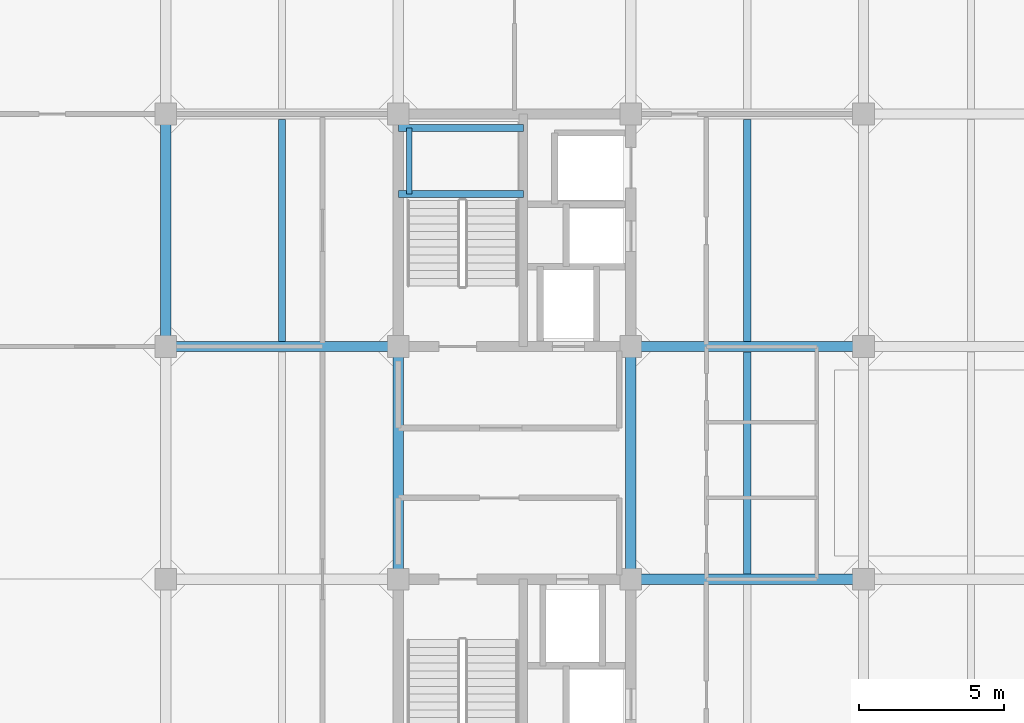
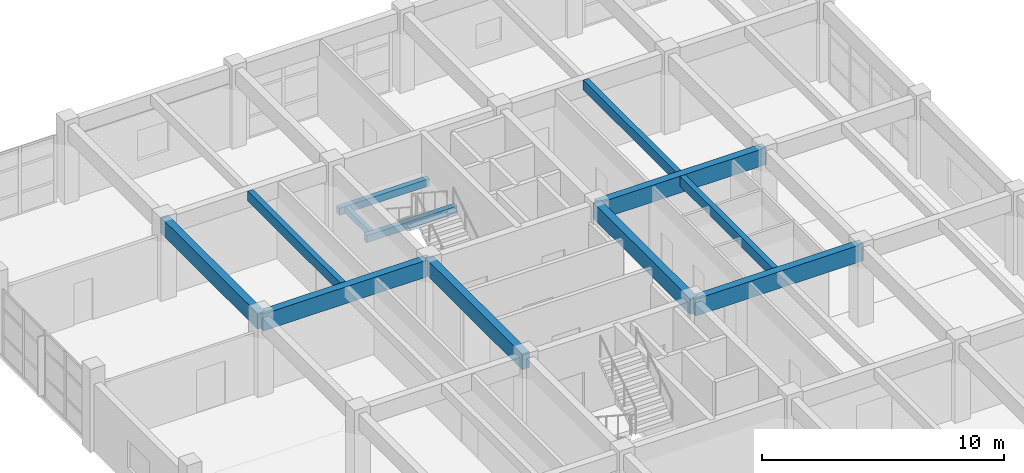
# One storey, part 9 of 27: 12 beams.
"""IFC4 building model written with IfcOpenShell, lengths in metres."""

from ifc_helpers import new_model, si_unit, direction, frame, origin, origin_2d, place, context, subcontext, project, spatial, rectangle, extrude, material, material_profile, profile_set, type_object, element, save


model = new_model("IFC4")

# Units and contexts
model_context = context("Model", 3, precision=1e-05, world=origin(), true_north=direction((0.0, 1.0)))
body_context = subcontext(model_context, "Body", "Model", "MODEL_VIEW")
ifc_project = project(units=[si_unit("LENGTHUNIT", "METRE"), si_unit("AREAUNIT", "SQUARE_METRE"), si_unit("VOLUMEUNIT", "CUBIC_METRE"), si_unit("PLANEANGLEUNIT", "RADIAN"), si_unit("MASSUNIT", "GRAM", prefix="KILO")], contexts=[model_context])

# Site, building, storey
site_placement = place(None, origin())
site = spatial("IfcSite", under=ifc_project, at=site_placement, CompositionType="ELEMENT")
building_placement = place(site_placement, origin())
building = spatial("IfcBuilding", under=site, at=building_placement, Name="Canggui Botanical Conservatory", CompositionType="ELEMENT")
storey_placement = place(building_placement, frame((0.0, 0.0, 36.0)))
storey = spatial("IfcBuildingStorey", under=building, at=storey_placement, Name="L09", CompositionType="ELEMENT", Elevation=36.0)

# Beams
ifc_material = material(Name="Concrete C35", Category="concrete")
ifc_material_profile_1 = material_profile(ifc_material, rectangle(XDim=0.25, YDim=0.5, at=origin_2d()), Name="RB 250x500")
ifc_profile_set_1 = profile_set([ifc_material_profile_1], Name="Concrete C35")
beam_type_1 = type_object("IfcBeamType", Name="BM-JST04", PredefinedType="JOIST", material=ifc_profile_set_1)
for number, where, z_axis, x_axis, name in (
    (1, (150.0, 58.179931640625, 3.7099609375), (0.0, 1.0, 0.0), (-1.0, 0.0, 0.0), "Secondary Floor Joist L09-1-4"),
    (2, (166.0, 50.179931640625, 3.7099609375), (0.0, 1.0, 0.0), (-1.0, 0.0, 0.0), "Secondary Floor Joist L09-3-3"),
    (3, (166.0, 58.179931640625, 3.7099609375), (0.0, 1.0, 0.0), (-1.0, 0.0, 0.0), "Secondary Floor Joist L09-3-4"),
):
    element("IfcBeam", number, at=place(storey_placement, frame(where, z_axis=z_axis, x_axis=x_axis)), inside=storey, type_object=beam_type_1, Name=name, PredefinedType="JOIST", context=body_context, shape_type="SweptSolid", body=[
        extrude(rectangle(XDim=0.25, YDim=0.5, at=origin_2d()), origin(), (0.0, 0.0, 1.0), 7.64013671875),
    ])
ifc_material_profile_2 = material_profile(ifc_material, rectangle(XDim=0.35009765625, YDim=0.85009765625, at=origin_2d()), Name="RB 350x850")
ifc_profile_set_2 = profile_set([ifc_material_profile_2], Name="Concrete C35")
beam_type_2 = type_object("IfcBeamType", Name="BM-KL14", PredefinedType="BEAM", material=ifc_profile_set_2)
for number, where, z_axis, x_axis, name in (
    (4, (162.0, 50.0, 3.534912109375), (1.0, 0.0, 0.0), (0.0, 1.0, 0.0), "Frame Girder L09 Y50-3"),
    (5, (146.0, 58.0, 3.534912109375), (1.0, 0.0, 0.0), (0.0, 1.0, 0.0), "Frame Girder L09 Y58-1"),
    (6, (162.0, 58.0, 3.534912109375), (1.0, 0.0, 0.0), (0.0, 1.0, 0.0), "Frame Girder L09 Y58-3"),
):
    element("IfcBeam", number, at=place(storey_placement, frame(where, z_axis=z_axis, x_axis=x_axis)), inside=storey, type_object=beam_type_2, Name=name, PredefinedType="BEAM", context=body_context, shape_type="SweptSolid", body=[
        extrude(rectangle(XDim=0.35009765625, YDim=0.85009765625, at=origin_2d()), origin(), (0.0, 0.0, 1.0), 8.0),
    ])
ifc_material_profile_3 = material_profile(ifc_material, rectangle(XDim=0.35009765625, YDim=0.800048828125, at=origin_2d()), Name="RB 350x800")
ifc_profile_set_3 = profile_set([ifc_material_profile_3], Name="Concrete C35")
beam_type_3 = type_object("IfcBeamType", Name="BM-KL15", PredefinedType="BEAM", material=ifc_profile_set_3)
for number, where, z_axis, x_axis, name in (
    (7, (146.0, 58.0, 3.56005859375), (0.0, 1.0, 0.0), (-1.0, 0.0, 0.0), "Frame Girder L09 X146-4"),
    (8, (154.0, 50.0, 3.56005859375), (0.0, 1.0, 0.0), (-1.0, 0.0, 0.0), "Frame Girder L09 X154-3"),
    (9, (162.0, 50.0, 3.56005859375), (0.0, 1.0, 0.0), (-1.0, 0.0, 0.0), "Frame Girder L09 X162-3"),
):
    element("IfcBeam", number, at=place(storey_placement, frame(where, z_axis=z_axis, x_axis=x_axis)), inside=storey, type_object=beam_type_3, Name=name, PredefinedType="BEAM", context=body_context, shape_type="SweptSolid", body=[
        extrude(rectangle(XDim=0.35009765625, YDim=0.800048828125, at=origin_2d()), origin(), (0.0, 0.0, 1.0), 8.0),
    ])
ifc_material_profile_4 = material_profile(ifc_material, rectangle(XDim=0.239990234375, YDim=0.360107421875, at=origin_2d()), Name="RB 240x360")
ifc_profile_set_4 = profile_set([ifc_material_profile_4], Name="Concrete C35")
beam_type_4 = type_object("IfcBeamType", Name="BM-LIN01", PredefinedType="LINTEL", material=ifc_profile_set_4)
for number, where, z_axis, x_axis, name in (
    (10, (154.0, 63.24755859375, 1.719970703125), (1.0, 0.0, 0.0), (0.0, 1.0, 0.0), "ST-T2 Half-Landing Ledger Beam L09-1.1"),
    (11, (154.0, 65.52001953125, 1.719970703125), (1.0, 0.0, 0.0), (0.0, 1.0, 0.0), "ST-T2 Half-Landing Ledger Beam L09-1.2"),
):
    element("IfcBeam", number, at=place(storey_placement, frame(where, z_axis=z_axis, x_axis=x_axis)), inside=storey, type_object=beam_type_4, Name=name, PredefinedType="LINTEL", context=body_context, shape_type="SweptSolid", body=[
        extrude(rectangle(XDim=0.239990234375, YDim=0.360107421875, at=origin_2d()), origin(), (0.0, 0.0, 1.0), 4.300048828125),
    ])
ifc_material_profile_5 = material_profile(ifc_material, rectangle(XDim=0.199951171875, YDim=0.320068359375, at=origin_2d()), Name="RB 200x320")
ifc_profile_set_5 = profile_set([ifc_material_profile_5], Name="Concrete C35")
beam_type_5 = type_object("IfcBeamType", Name="BM-LIN02", PredefinedType="LINTEL", material=ifc_profile_set_5)
beam_placement = place(storey_placement, frame((154.3798828125, 63.24755859375, 1.719970703125), z_axis=(0.0, 1.0, 0.0), x_axis=(-1.0, 0.0, 0.0)))
element("IfcBeam", 12, at=beam_placement, inside=storey, type_object=beam_type_5, Name="ST-T2 Half-Landing Edge Ledger L09-1.3", PredefinedType="LINTEL", context=body_context, shape_type="SweptSolid", body=[
    extrude(rectangle(XDim=0.199951171875, YDim=0.320068359375, at=origin_2d()), origin(), (0.0, 0.0, 1.0), 2.2724609375),
])

save(model, "model.ifc")
